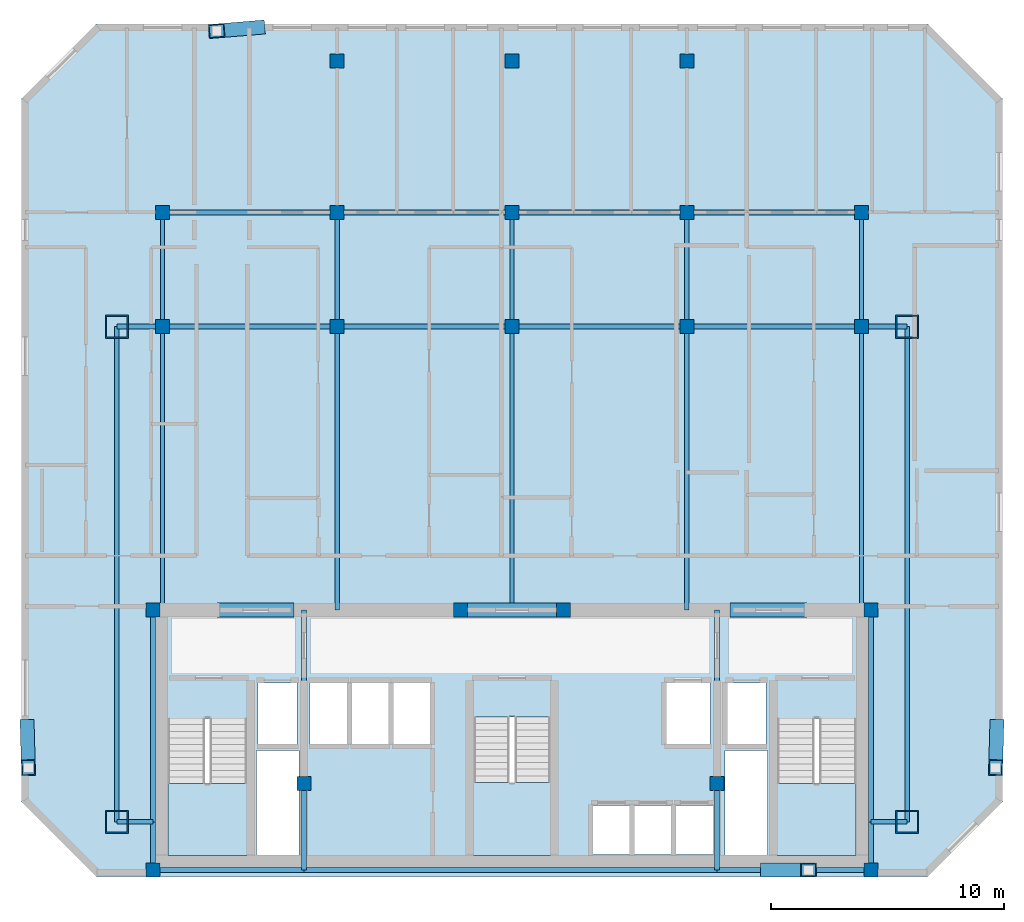
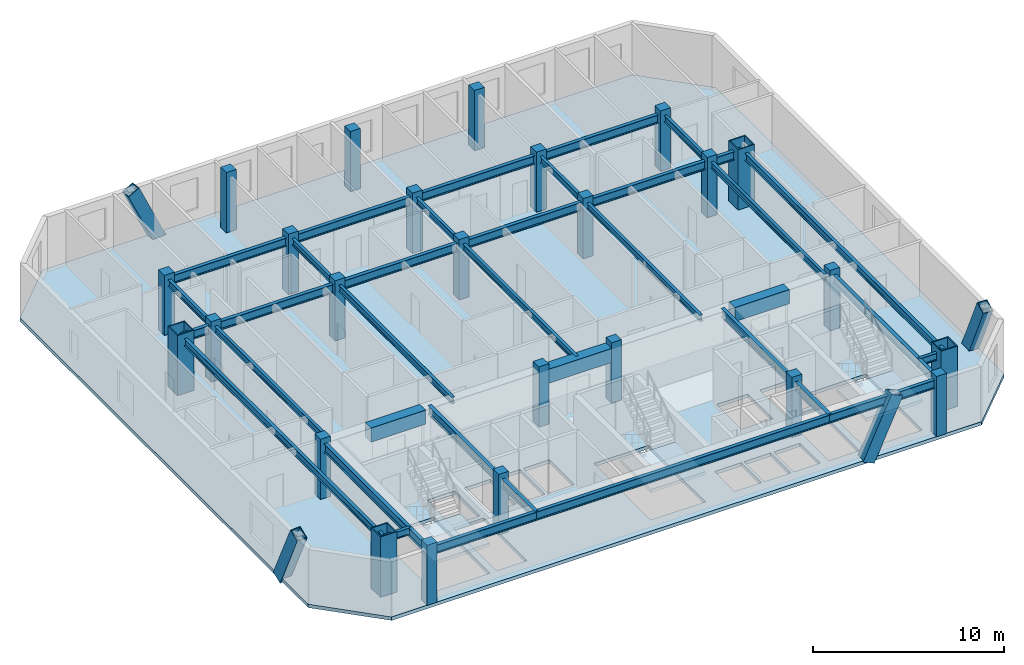
# One storey, part 1 of 7: 38 beams, 25 columns, 4 members, 4 slabs, 3 elements without a shape of their own.
"""IFC4 building model written with IfcOpenShell, lengths in metres."""

from ifc_helpers import new_model, si_unit, direction, frame, origin, origin_2d, place, context, subcontext, project, spatial, polyline, rectangle, hollow_rectangle, i_section, outline, extrude, material, layer, layer_set, material_profile, profile_set, type_object, element, aggregate, save


model = new_model("IFC4")

# Units and contexts
model_context = context("Model", 3, precision=1e-05, world=origin(), true_north=direction((0.0, 1.0)))
body_context = subcontext(model_context, "Body", "Model", "MODEL_VIEW")
ifc_project = project(units=[si_unit("LENGTHUNIT", "METRE"), si_unit("AREAUNIT", "SQUARE_METRE"), si_unit("VOLUMEUNIT", "CUBIC_METRE"), si_unit("PLANEANGLEUNIT", "RADIAN"), si_unit("MASSUNIT", "GRAM", prefix="KILO")], contexts=[model_context])

# Site, building, storey
site_placement = place(None, origin())
site = spatial("IfcSite", under=ifc_project, at=site_placement, CompositionType="ELEMENT")
building_placement = place(site_placement, origin())
building = spatial("IfcBuilding", under=site, at=building_placement, Name="Ventersveld Concourse Tower", CompositionType="ELEMENT")
storey_placement = place(building_placement, frame((0.0, 0.0, 242.64990234375)))
storey = spatial("IfcBuildingStorey", under=building, at=storey_placement, Name="L60", CompositionType="ELEMENT", Elevation=242.64990234375)

# Columns
ifc_material_1 = material(Name="Concrete C50/60", Category="concrete")
ifc_material_profile_1 = material_profile(ifc_material_1, rectangle(XDim=0.60009765625, YDim=0.60009765625, at=origin_2d()), Name="RC 600x600")
ifc_profile_set_1 = profile_set([ifc_material_profile_1], Name="Concrete C50/60")
column_type_1 = type_object("IfcColumnType", Name="COL-RC600", PredefinedType="COLUMN", material=ifc_profile_set_1)
for number, where, z_axis, x_axis, name in (
    (1, (13.35009765625, 0.280029296875, 0.0), (0.0, 0.0, 1.0), (1.0, 0.0, 0.0), "L60 Core Spine Column CC-SW"),
    (2, (44.14990234375, 0.280029296875, 0.0), (0.0, 0.0, 1.0), (1.0, 0.0, 0.0), "L60 Core Spine Column CC-SE"),
    (3, (13.35009765625, 11.449951171875, 0.0), (0.0, 0.0, 1.0), (1.0, 0.0, 0.0), "L60 Core Spine Column CC-NW"),
    (4, (44.14990234375, 11.449951171875, 0.0), (0.0, 0.0, 1.0), (1.0, 0.0, 0.0), "L60 Core Spine Column CC-NE"),
    (5, (19.820068359375, 4.0, 0.0), (0.0, 0.0, 1.0), (1.0, 0.0, 0.0), "L60 Core Spine Column CM-1"),
    (6, (37.550048828125, 4.0, 0.0), (0.0, 0.0, 1.0), (1.0, 0.0, 0.0), "L60 Core Spine Column CM-2"),
    (7, (26.550048828125, 11.449951171875, 0.0), (0.0, 0.0, 1.0), (1.0, 0.0, 0.0), "L60 Core Spine Column CM-3"),
    (8, (30.949951171875, 11.449951171875, 0.0), (0.0, 0.0, 1.0), (1.0, 0.0, 0.0), "L60 Core Spine Column CM-4"),
    (9, (13.75, 23.60009765625, 0.0), (0.0, 0.0, 1.0), (1.0, 0.0, 0.0), "L60 Interior Gravity Column X=13.75 Y=23.60"),
    (10, (21.25, 23.60009765625, 0.0), (0.0, 0.0, 1.0), (1.0, 0.0, 0.0), "L60 Interior Gravity Column X=21.25 Y=23.60"),
    (11, (28.75, 23.60009765625, 0.0), (0.0, 0.0, 1.0), (1.0, 0.0, 0.0), "L60 Interior Gravity Column X=28.75 Y=23.60"),
    (12, (36.25, 23.60009765625, 0.0), (0.0, 0.0, 1.0), (1.0, 0.0, 0.0), "L60 Interior Gravity Column X=36.25 Y=23.60"),
    (13, (43.75, 23.60009765625, 0.0), (0.0, 0.0, 1.0), (1.0, 0.0, 0.0), "L60 Interior Gravity Column X=43.75 Y=23.60"),
    (14, (13.75, 28.5, 0.0), (0.0, 0.0, 1.0), (1.0, 0.0, 0.0), "L60 Upper-North Gravity Column X=13.75 Y=28.50"),
    (15, (21.25, 28.5, 0.0), (0.0, 0.0, 1.0), (1.0, 0.0, 0.0), "L60 Upper-North Gravity Column X=21.25 Y=28.50"),
    (16, (28.75, 28.5, 0.0), (0.0, 0.0, 1.0), (1.0, 0.0, 0.0), "L60 Upper-North Gravity Column X=28.75 Y=28.50"),
    (17, (36.25, 28.5, 0.0), (0.0, 0.0, 1.0), (1.0, 0.0, 0.0), "L60 Upper-North Gravity Column X=36.25 Y=28.50"),
    (18, (43.75, 28.5, 0.0), (0.0, 0.0, 1.0), (1.0, 0.0, 0.0), "L60 Upper-North Gravity Column X=43.75 Y=28.50"),
    (19, (21.25, 35.0, 0.0), (0.0, 0.0, 1.0), (1.0, 0.0, 0.0), "L60 Mid-North Column X=21.25 Y=35.00"),
    (20, (28.75, 35.0, 0.0), (0.0, 0.0, 1.0), (1.0, 0.0, 0.0), "L60 Mid-North Column X=28.75 Y=35.00"),
    (21, (36.25, 35.0, 0.0), (0.0, 0.0, 1.0), (1.0, 0.0, 0.0), "L60 Mid-North Column X=36.25 Y=35.00"),
):
    element("IfcColumn", number, at=place(storey_placement, frame(where, z_axis=z_axis, x_axis=x_axis)), inside=storey, type_object=column_type_1, Name=name, PredefinedType="COLUMN", context=body_context, shape_type="SweptSolid", body=[
        extrude(rectangle(XDim=0.60009765625, YDim=0.60009765625, at=origin_2d()), origin(), (0.0, 0.0, 1.0), 3.85009765625),
    ])
ifc_material_2 = material(Name="Structural steel S460ML", Category="steel")
ifc_material_profile_2 = material_profile(ifc_material_2, hollow_rectangle(XDim=1.0, YDim=1.0, WallThickness=0.06005859375, at=origin_2d()), Name="BOX 1000x1000x60")
ifc_profile_set_2 = profile_set([ifc_material_profile_2], Name="Structural steel S460ML")
column_type_2 = type_object("IfcColumnType", Name="MC-1000", PredefinedType="USERDEFINED", material=ifc_profile_set_2)
for number, where, z_axis, x_axis, name in (
    (22, (11.800048828125, 2.35009765625, 0.0), (0.0, 0.0, 1.0), (1.0, 0.0, 0.0), "L60 Corner Mega-Column MC-SW"),
    (23, (45.699951171875, 2.35009765625, 0.0), (0.0, 0.0, 1.0), (1.0, 0.0, 0.0), "L60 Corner Mega-Column MC-SE"),
    (24, (45.699951171875, 23.60009765625, 0.0), (0.0, 0.0, 1.0), (1.0, 0.0, 0.0), "L60 Corner Mega-Column MC-NE"),
    (25, (11.800048828125, 23.60009765625, 0.0), (0.0, 0.0, 1.0), (1.0, 0.0, 0.0), "L60 Corner Mega-Column MC-NW"),
):
    element("IfcColumn", number, at=place(storey_placement, frame(where, z_axis=z_axis, x_axis=x_axis)), inside=storey, type_object=column_type_2, Name=name, ObjectType="MEGA_COLUMN", PredefinedType="USERDEFINED", context=body_context, shape_type="SweptSolid", body=[
        extrude(hollow_rectangle(XDim=1.0, YDim=1.0, WallThickness=0.06005859375, at=origin_2d()), origin(), (0.0, 0.0, 1.0), 3.85009765625),
    ])

# Beams
ifc_material_3 = material(Name="Structural steel S355J2", Category="steel")
ifc_material_profile_3 = material_profile(ifc_material_3, i_section(OverallWidth=0.177978515625, OverallDepth=0.406494140625, WebThickness=0.0078125, FlangeThickness=0.0126953125, FilletRadius=0.01025390625, at=origin_2d()), Name="UB 406x178x60")
ifc_profile_set_3 = profile_set([ifc_material_profile_3], Name="Structural steel S355J2")
beam_type_1 = type_object("IfcBeamType", Name="BM-UB406", PredefinedType="BEAM", material=ifc_profile_set_3)
beam_1_placement = place(storey_placement, frame((13.75, 11.449951171875, 3.296875), z_axis=(0.0, 1.0, 0.0), x_axis=(-1.0, 0.0, 0.0)))
element("IfcBeam", 26, at=beam_1_placement, inside=storey, type_object=beam_type_1, Name="L60 N-S Composite Floor Beam South X=13.75", PredefinedType="BEAM", context=body_context, shape_type="SweptSolid", body=[
    extrude(i_section(OverallWidth=0.177978515625, OverallDepth=0.406494140625, WebThickness=0.0078125, FlangeThickness=0.0126953125, FilletRadius=0.01025390625, at=origin_2d()), origin(), (0.0, 0.0, 1.0), 12.150146484375),
])
beam_2_placement = place(storey_placement, frame((13.75, 23.60009765625, 3.296875), z_axis=(0.0, 1.0, 0.0), x_axis=(-1.0, 0.0, 0.0)))
element("IfcBeam", 27, at=beam_2_placement, inside=storey, type_object=beam_type_1, Name="L60 N-S Upper-Zone Floor Beam X=13.75", PredefinedType="BEAM", context=body_context, shape_type="SweptSolid", body=[
    extrude(i_section(OverallWidth=0.177978515625, OverallDepth=0.406494140625, WebThickness=0.0078125, FlangeThickness=0.0126953125, FilletRadius=0.01025390625, at=origin_2d()), origin(), (0.0, 0.0, 1.0), 4.89990234375),
])
beam_3_placement = place(storey_placement, frame((21.25, 11.449951171875, 3.296875), z_axis=(0.0, 1.0, 0.0), x_axis=(-1.0, 0.0, 0.0)))
element("IfcBeam", 28, at=beam_3_placement, inside=storey, type_object=beam_type_1, Name="L60 N-S Composite Floor Beam South X=21.25", PredefinedType="BEAM", context=body_context, shape_type="SweptSolid", body=[
    extrude(i_section(OverallWidth=0.177978515625, OverallDepth=0.406494140625, WebThickness=0.0078125, FlangeThickness=0.0126953125, FilletRadius=0.01025390625, at=origin_2d()), origin(), (0.0, 0.0, 1.0), 12.150146484375),
])
beam_4_placement = place(storey_placement, frame((21.25, 23.60009765625, 3.296875), z_axis=(0.0, 1.0, 0.0), x_axis=(-1.0, 0.0, 0.0)))
element("IfcBeam", 29, at=beam_4_placement, inside=storey, type_object=beam_type_1, Name="L60 N-S Upper-Zone Floor Beam X=21.25", PredefinedType="BEAM", context=body_context, shape_type="SweptSolid", body=[
    extrude(i_section(OverallWidth=0.177978515625, OverallDepth=0.406494140625, WebThickness=0.0078125, FlangeThickness=0.0126953125, FilletRadius=0.01025390625, at=origin_2d()), origin(), (0.0, 0.0, 1.0), 4.89990234375),
])
beam_5_placement = place(storey_placement, frame((28.75, 11.449951171875, 3.296875), z_axis=(0.0, 1.0, 0.0), x_axis=(-1.0, 0.0, 0.0)))
element("IfcBeam", 30, at=beam_5_placement, inside=storey, type_object=beam_type_1, Name="L60 N-S Composite Floor Beam South X=28.75", PredefinedType="BEAM", context=body_context, shape_type="SweptSolid", body=[
    extrude(i_section(OverallWidth=0.177978515625, OverallDepth=0.406494140625, WebThickness=0.0078125, FlangeThickness=0.0126953125, FilletRadius=0.01025390625, at=origin_2d()), origin(), (0.0, 0.0, 1.0), 12.150146484375),
])
beam_6_placement = place(storey_placement, frame((28.75, 23.60009765625, 3.296875), z_axis=(0.0, 1.0, 0.0), x_axis=(-1.0, 0.0, 0.0)))
element("IfcBeam", 31, at=beam_6_placement, inside=storey, type_object=beam_type_1, Name="L60 N-S Upper-Zone Floor Beam X=28.75", PredefinedType="BEAM", context=body_context, shape_type="SweptSolid", body=[
    extrude(i_section(OverallWidth=0.177978515625, OverallDepth=0.406494140625, WebThickness=0.0078125, FlangeThickness=0.0126953125, FilletRadius=0.01025390625, at=origin_2d()), origin(), (0.0, 0.0, 1.0), 4.89990234375),
])
beam_7_placement = place(storey_placement, frame((36.25, 11.449951171875, 3.296875), z_axis=(0.0, 1.0, 0.0), x_axis=(-1.0, 0.0, 0.0)))
element("IfcBeam", 32, at=beam_7_placement, inside=storey, type_object=beam_type_1, Name="L60 N-S Composite Floor Beam South X=36.25", PredefinedType="BEAM", context=body_context, shape_type="SweptSolid", body=[
    extrude(i_section(OverallWidth=0.177978515625, OverallDepth=0.406494140625, WebThickness=0.0078125, FlangeThickness=0.0126953125, FilletRadius=0.01025390625, at=origin_2d()), origin(), (0.0, 0.0, 1.0), 12.150146484375),
])
beam_8_placement = place(storey_placement, frame((36.25, 23.60009765625, 3.296875), z_axis=(0.0, 1.0, 0.0), x_axis=(-1.0, 0.0, 0.0)))
element("IfcBeam", 33, at=beam_8_placement, inside=storey, type_object=beam_type_1, Name="L60 N-S Upper-Zone Floor Beam X=36.25", PredefinedType="BEAM", context=body_context, shape_type="SweptSolid", body=[
    extrude(i_section(OverallWidth=0.177978515625, OverallDepth=0.406494140625, WebThickness=0.0078125, FlangeThickness=0.0126953125, FilletRadius=0.01025390625, at=origin_2d()), origin(), (0.0, 0.0, 1.0), 4.89990234375),
])
beam_9_placement = place(storey_placement, frame((43.75, 11.449951171875, 3.296875), z_axis=(0.0, 1.0, 0.0), x_axis=(-1.0, 0.0, 0.0)))
element("IfcBeam", 34, at=beam_9_placement, inside=storey, type_object=beam_type_1, Name="L60 N-S Composite Floor Beam South X=43.75", PredefinedType="BEAM", context=body_context, shape_type="SweptSolid", body=[
    extrude(i_section(OverallWidth=0.177978515625, OverallDepth=0.406494140625, WebThickness=0.0078125, FlangeThickness=0.0126953125, FilletRadius=0.01025390625, at=origin_2d()), origin(), (0.0, 0.0, 1.0), 12.150146484375),
])
beam_10_placement = place(storey_placement, frame((43.75, 23.60009765625, 3.296875), z_axis=(0.0, 1.0, 0.0), x_axis=(-1.0, 0.0, 0.0)))
element("IfcBeam", 35, at=beam_10_placement, inside=storey, type_object=beam_type_1, Name="L60 N-S Upper-Zone Floor Beam X=43.75", PredefinedType="BEAM", context=body_context, shape_type="SweptSolid", body=[
    extrude(i_section(OverallWidth=0.177978515625, OverallDepth=0.406494140625, WebThickness=0.0078125, FlangeThickness=0.0126953125, FilletRadius=0.01025390625, at=origin_2d()), origin(), (0.0, 0.0, 1.0), 4.89990234375),
])
ifc_material_profile_4 = material_profile(ifc_material_1, rectangle(XDim=0.60009765625, YDim=0.89990234375, at=origin_2d()), Name="RC 600x900")
ifc_profile_set_4 = profile_set([ifc_material_profile_4], Name="Concrete C50/60")
beam_type_2 = type_object("IfcBeamType", Name="CB-RC600x900U", PredefinedType="LINTEL", material=ifc_profile_set_4)
beam_11_placement = place(storey_placement, frame((16.10009765625, 11.449951171875, 3.050048828125), z_axis=(1.0, 0.0, 0.0), x_axis=(0.0, 1.0, 0.0)))
element("IfcBeam", 36, at=beam_11_placement, inside=storey, type_object=beam_type_2, Name="L60 Core Coupling Lintel Beam 1", PredefinedType="LINTEL", context=body_context, shape_type="SweptSolid", body=[
    extrude(rectangle(XDim=0.60009765625, YDim=0.89990234375, at=origin_2d()), origin(), (0.0, 0.0, 1.0), 3.2998046875),
])
beam_12_placement = place(storey_placement, frame((26.5, 11.449951171875, 3.050048828125), z_axis=(1.0, 0.0, 0.0), x_axis=(0.0, 1.0, 0.0)))
element("IfcBeam", 37, at=beam_12_placement, inside=storey, type_object=beam_type_2, Name="L60 Core Coupling Lintel Beam 2", PredefinedType="LINTEL", context=body_context, shape_type="SweptSolid", body=[
    extrude(rectangle(XDim=0.60009765625, YDim=0.89990234375, at=origin_2d()), origin(), (0.0, 0.0, 1.0), 4.5),
])
beam_13_placement = place(storey_placement, frame((38.10009765625, 11.449951171875, 3.050048828125), z_axis=(1.0, 0.0, 0.0), x_axis=(0.0, 1.0, 0.0)))
element("IfcBeam", 38, at=beam_13_placement, inside=storey, type_object=beam_type_2, Name="L60 Core Coupling Lintel Beam 3", PredefinedType="LINTEL", context=body_context, shape_type="SweptSolid", body=[
    extrude(rectangle(XDim=0.60009765625, YDim=0.89990234375, at=origin_2d()), origin(), (0.0, 0.0, 1.0), 3.2998046875),
])
ifc_material_profile_5 = material_profile(ifc_material_3, i_section(OverallWidth=0.2119140625, OverallDepth=0.54443359375, WebThickness=0.0126953125, FlangeThickness=0.021240234375, FilletRadius=0.0126953125, at=origin_2d()), Name="UB 533x210x122")
ifc_profile_set_5 = profile_set([ifc_material_profile_5], Name="Structural steel S355J2")
beam_type_3 = type_object("IfcBeamType", Name="GRD-UB533H", PredefinedType="T_BEAM", material=ifc_profile_set_5)
beam_14_placement = place(storey_placement, frame((13.35009765625, 0.280029296875, 3.227783203125), z_axis=(0.0, 1.0, 0.0), x_axis=(-1.0, 0.0, 0.0)))
element("IfcBeam", 39, at=beam_14_placement, inside=storey, type_object=beam_type_3, Name="L60 Core West Tie Beam S", PredefinedType="T_BEAM", context=body_context, shape_type="SweptSolid", body=[
    extrude(i_section(OverallWidth=0.2119140625, OverallDepth=0.54443359375, WebThickness=0.0126953125, FlangeThickness=0.021240234375, FilletRadius=0.0126953125, at=origin_2d()), origin(), (0.0, 0.0, 1.0), 2.070068359375),
])
beam_15_placement = place(storey_placement, frame((13.35009765625, 2.35009765625, 3.227783203125), z_axis=(0.0, 1.0, 0.0), x_axis=(-1.0, 0.0, 0.0)))
element("IfcBeam", 40, at=beam_15_placement, inside=storey, type_object=beam_type_3, Name="L60 Core West Tie Beam N", PredefinedType="T_BEAM", context=body_context, shape_type="SweptSolid", body=[
    extrude(i_section(OverallWidth=0.2119140625, OverallDepth=0.54443359375, WebThickness=0.0126953125, FlangeThickness=0.021240234375, FilletRadius=0.0126953125, at=origin_2d()), origin(), (0.0, 0.0, 1.0), 9.099853515625),
])
beam_16_placement = place(storey_placement, frame((44.14990234375, 0.280029296875, 3.227783203125), z_axis=(0.0, 1.0, 0.0), x_axis=(-1.0, 0.0, 0.0)))
element("IfcBeam", 41, at=beam_16_placement, inside=storey, type_object=beam_type_3, Name="L60 Core East Tie Beam S", PredefinedType="T_BEAM", context=body_context, shape_type="SweptSolid", body=[
    extrude(i_section(OverallWidth=0.2119140625, OverallDepth=0.54443359375, WebThickness=0.0126953125, FlangeThickness=0.021240234375, FilletRadius=0.0126953125, at=origin_2d()), origin(), (0.0, 0.0, 1.0), 2.070068359375),
])
beam_17_placement = place(storey_placement, frame((44.14990234375, 2.35009765625, 3.227783203125), z_axis=(0.0, 1.0, 0.0), x_axis=(-1.0, 0.0, 0.0)))
element("IfcBeam", 42, at=beam_17_placement, inside=storey, type_object=beam_type_3, Name="L60 Core East Tie Beam N", PredefinedType="T_BEAM", context=body_context, shape_type="SweptSolid", body=[
    extrude(i_section(OverallWidth=0.2119140625, OverallDepth=0.54443359375, WebThickness=0.0126953125, FlangeThickness=0.021240234375, FilletRadius=0.0126953125, at=origin_2d()), origin(), (0.0, 0.0, 1.0), 9.099853515625),
])
beam_18_placement = place(storey_placement, frame((13.35009765625, 0.280029296875, 3.227783203125), z_axis=(1.0, 0.0, 0.0), x_axis=(0.0, 1.0, 0.0)))
element("IfcBeam", 43, at=beam_18_placement, inside=storey, type_object=beam_type_3, Name="L60 Core South Tie Beam W", PredefinedType="T_BEAM", context=body_context, shape_type="SweptSolid", body=[
    extrude(i_section(OverallWidth=0.2119140625, OverallDepth=0.54443359375, WebThickness=0.0126953125, FlangeThickness=0.021240234375, FilletRadius=0.0126953125, at=origin_2d()), origin(), (0.0, 0.0, 1.0), 6.469970703125),
])
beam_19_placement = place(storey_placement, frame((19.820068359375, 0.280029296875, 3.227783203125), z_axis=(1.0, 0.0, 0.0), x_axis=(0.0, 1.0, 0.0)))
element("IfcBeam", 44, at=beam_19_placement, inside=storey, type_object=beam_type_3, Name="L60 Core South Tie Beam C", PredefinedType="T_BEAM", context=body_context, shape_type="SweptSolid", body=[
    extrude(i_section(OverallWidth=0.2119140625, OverallDepth=0.54443359375, WebThickness=0.0126953125, FlangeThickness=0.021240234375, FilletRadius=0.0126953125, at=origin_2d()), origin(), (0.0, 0.0, 1.0), 17.72998046875),
])
beam_20_placement = place(storey_placement, frame((37.550048828125, 0.280029296875, 3.227783203125), z_axis=(1.0, 0.0, 0.0), x_axis=(0.0, 1.0, 0.0)))
element("IfcBeam", 45, at=beam_20_placement, inside=storey, type_object=beam_type_3, Name="L60 Core South Tie Beam E", PredefinedType="T_BEAM", context=body_context, shape_type="SweptSolid", body=[
    extrude(i_section(OverallWidth=0.2119140625, OverallDepth=0.54443359375, WebThickness=0.0126953125, FlangeThickness=0.021240234375, FilletRadius=0.0126953125, at=origin_2d()), origin(), (0.0, 0.0, 1.0), 6.599853515625),
])
beam_21_placement = place(storey_placement, frame((19.820068359375, 0.280029296875, 3.227783203125), z_axis=(0.0, 1.0, 0.0), x_axis=(-1.0, 0.0, 0.0)))
element("IfcBeam", 46, at=beam_21_placement, inside=storey, type_object=beam_type_3, Name="L60 Core Spine N-S Tie Beam W1", PredefinedType="T_BEAM", context=body_context, shape_type="SweptSolid", body=[
    extrude(i_section(OverallWidth=0.2119140625, OverallDepth=0.54443359375, WebThickness=0.0126953125, FlangeThickness=0.021240234375, FilletRadius=0.0126953125, at=origin_2d()), origin(), (0.0, 0.0, 1.0), 3.719970703125),
])
beam_22_placement = place(storey_placement, frame((19.820068359375, 4.0, 3.227783203125), z_axis=(0.0, 1.0, 0.0), x_axis=(-1.0, 0.0, 0.0)))
element("IfcBeam", 47, at=beam_22_placement, inside=storey, type_object=beam_type_3, Name="L60 Core Spine N-S Tie Beam W2", PredefinedType="T_BEAM", context=body_context, shape_type="SweptSolid", body=[
    extrude(i_section(OverallWidth=0.2119140625, OverallDepth=0.54443359375, WebThickness=0.0126953125, FlangeThickness=0.021240234375, FilletRadius=0.0126953125, at=origin_2d()), origin(), (0.0, 0.0, 1.0), 7.449951171875),
])
beam_23_placement = place(storey_placement, frame((37.550048828125, 0.280029296875, 3.227783203125), z_axis=(0.0, 1.0, 0.0), x_axis=(-1.0, 0.0, 0.0)))
element("IfcBeam", 48, at=beam_23_placement, inside=storey, type_object=beam_type_3, Name="L60 Core Spine N-S Tie Beam E1", PredefinedType="T_BEAM", context=body_context, shape_type="SweptSolid", body=[
    extrude(i_section(OverallWidth=0.2119140625, OverallDepth=0.54443359375, WebThickness=0.0126953125, FlangeThickness=0.021240234375, FilletRadius=0.0126953125, at=origin_2d()), origin(), (0.0, 0.0, 1.0), 3.719970703125),
])
beam_24_placement = place(storey_placement, frame((37.550048828125, 4.0, 3.227783203125), z_axis=(0.0, 1.0, 0.0), x_axis=(-1.0, 0.0, 0.0)))
element("IfcBeam", 49, at=beam_24_placement, inside=storey, type_object=beam_type_3, Name="L60 Core Spine N-S Tie Beam E2", PredefinedType="T_BEAM", context=body_context, shape_type="SweptSolid", body=[
    extrude(i_section(OverallWidth=0.2119140625, OverallDepth=0.54443359375, WebThickness=0.0126953125, FlangeThickness=0.021240234375, FilletRadius=0.0126953125, at=origin_2d()), origin(), (0.0, 0.0, 1.0), 7.449951171875),
])
beam_25_placement = place(storey_placement, frame((11.800048828125, 23.60009765625, 3.227783203125), z_axis=(1.0, 0.0, 0.0), x_axis=(0.0, 1.0, 0.0)))
element("IfcBeam", 50, at=beam_25_placement, inside=storey, type_object=beam_type_3, Name="L60 Primary E-W Grid Girder Y=23.60 #1", PredefinedType="T_BEAM", context=body_context, shape_type="SweptSolid", body=[
    extrude(i_section(OverallWidth=0.2119140625, OverallDepth=0.54443359375, WebThickness=0.0126953125, FlangeThickness=0.021240234375, FilletRadius=0.0126953125, at=origin_2d()), origin(), (0.0, 0.0, 1.0), 1.949951171875),
])
for number, where, z_axis, x_axis, name in (
    (51, (13.75, 23.60009765625, 3.227783203125), (1.0, 0.0, 0.0), (0.0, 1.0, 0.0), "L60 Primary E-W Grid Girder Y=23.60 #2"),
    (52, (21.25, 23.60009765625, 3.227783203125), (1.0, 0.0, 0.0), (0.0, 1.0, 0.0), "L60 Primary E-W Grid Girder Y=23.60 #3"),
    (53, (28.75, 23.60009765625, 3.227783203125), (1.0, 0.0, 0.0), (0.0, 1.0, 0.0), "L60 Primary E-W Grid Girder Y=23.60 #4"),
    (54, (36.25, 23.60009765625, 3.227783203125), (1.0, 0.0, 0.0), (0.0, 1.0, 0.0), "L60 Primary E-W Grid Girder Y=23.60 #5"),
):
    element("IfcBeam", number, at=place(storey_placement, frame(where, z_axis=z_axis, x_axis=x_axis)), inside=storey, type_object=beam_type_3, Name=name, PredefinedType="T_BEAM", context=body_context, shape_type="SweptSolid", body=[
        extrude(i_section(OverallWidth=0.2119140625, OverallDepth=0.54443359375, WebThickness=0.0126953125, FlangeThickness=0.021240234375, FilletRadius=0.0126953125, at=origin_2d()), origin(), (0.0, 0.0, 1.0), 7.5),
    ])
beam_26_placement = place(storey_placement, frame((43.75, 23.60009765625, 3.227783203125), z_axis=(1.0, 0.0, 0.0), x_axis=(0.0, 1.0, 0.0)))
element("IfcBeam", 55, at=beam_26_placement, inside=storey, type_object=beam_type_3, Name="L60 Primary E-W Grid Girder Y=23.60 #6", PredefinedType="T_BEAM", context=body_context, shape_type="SweptSolid", body=[
    extrude(i_section(OverallWidth=0.2119140625, OverallDepth=0.54443359375, WebThickness=0.0126953125, FlangeThickness=0.021240234375, FilletRadius=0.0126953125, at=origin_2d()), origin(), (0.0, 0.0, 1.0), 1.949951171875),
])
for number, where, z_axis, x_axis, name in (
    (56, (13.75, 28.5, 3.227783203125), (1.0, 0.0, 0.0), (0.0, 1.0, 0.0), "L60 Upper-North E-W Girder Y=28.50 #1"),
    (57, (21.25, 28.5, 3.227783203125), (1.0, 0.0, 0.0), (0.0, 1.0, 0.0), "L60 Upper-North E-W Girder Y=28.50 #2"),
    (58, (28.75, 28.5, 3.227783203125), (1.0, 0.0, 0.0), (0.0, 1.0, 0.0), "L60 Upper-North E-W Girder Y=28.50 #3"),
    (59, (36.25, 28.5, 3.227783203125), (1.0, 0.0, 0.0), (0.0, 1.0, 0.0), "L60 Upper-North E-W Girder Y=28.50 #4"),
):
    element("IfcBeam", number, at=place(storey_placement, frame(where, z_axis=z_axis, x_axis=x_axis)), inside=storey, type_object=beam_type_3, Name=name, PredefinedType="T_BEAM", context=body_context, shape_type="SweptSolid", body=[
        extrude(i_section(OverallWidth=0.2119140625, OverallDepth=0.54443359375, WebThickness=0.0126953125, FlangeThickness=0.021240234375, FilletRadius=0.0126953125, at=origin_2d()), origin(), (0.0, 0.0, 1.0), 7.5),
    ])

# Members
ifc_material_4 = material(Name="Structural steel S355ML", Category="steel")
ifc_material_profile_6 = material_profile(ifc_material_4, hollow_rectangle(XDim=0.60009765625, YDim=0.75, WallThickness=0.0400390625, at=origin_2d()), Name="BOX 750x600x40")
ifc_profile_set_6 = profile_set([ifc_material_profile_6], Name="Structural steel S355ML")
member_type = type_object("IfcMemberType", Name="MB-750x600", PredefinedType="BRACE", material=ifc_profile_set_6)
member_placement = place(storey_placement, frame((17.80224609375, 36.430908203125, -0.219970703125), z_axis=(-0.42020721886, -0.034575894938, 0.906769210277), x_axis=(0.082005821426, -0.99663185041, 0.0)))
element("IfcMember", 60, at=member_placement, inside=storey, type_object=member_type, Name="L60 Exterior Mega-Brace N (Module M14)", PredefinedType="BRACE", context=body_context, shape_type="SweptSolid", body=[
    extrude(hollow_rectangle(XDim=0.60009765625, YDim=0.75, WallThickness=0.0400390625, at=origin_2d()), origin(), (0.0, 0.0, 1.0), 4.1025390625),
])
for number, where, z_axis, x_axis, name in (
    (61, (39.747802734375, 0.280029296875, -0.219970703125), (0.420458621587, 0.0, 0.907311714646), (0.0, 1.0, 0.0), "L60 Exterior Mega-Brace S (Module M14)"),
    (62, (7.94921875, 6.402099609375, -0.219970703125), (0.011968311236, -0.420379489196, 0.907269444316), (0.9995949685, 0.028458723607, 0.0), "L60 Exterior Mega-Brace W (Module M14)"),
    (63, (49.55078125, 6.402099609375, -0.219970703125), (-0.011968311236, -0.420379489196, 0.907269444316), (0.9995949685, -0.028458723607, 0.0), "L60 Exterior Mega-Brace E (Module M14)"),
):
    element("IfcMember", number, at=place(storey_placement, frame(where, z_axis=z_axis, x_axis=x_axis)), inside=storey, type_object=member_type, Name=name, PredefinedType="BRACE", context=body_context, shape_type="SweptSolid", body=[
        extrude(hollow_rectangle(XDim=0.60009765625, YDim=0.75, WallThickness=0.0400390625, at=origin_2d()), origin(), (0.0, 0.0, 1.0), 4.10009765625),
    ])

# Beams
ifc_material_profile_7 = material_profile(ifc_material_3, i_section(OverallWidth=0.19140625, OverallDepth=0.4599609375, WebThickness=0.010009765625, FlangeThickness=0.01611328125, FilletRadius=0.01025390625, at=origin_2d()), Name="UB 457x191x82")
ifc_profile_set_7 = profile_set([ifc_material_profile_7], Name="Structural steel S355J2")
beam_type_4 = type_object("IfcBeamType", Name="SPD-UB457", PredefinedType="SPANDREL", material=ifc_profile_set_7)
for number, where, z_axis, x_axis, name in (
    (64, (11.800048828125, 2.35009765625, 3.27001953125), (1.0, 0.0, 0.0), (0.0, 1.0, 0.0), "L60 SW Spandrel Beam"),
    (65, (44.14990234375, 2.35009765625, 3.27001953125), (1.0, 0.0, 0.0), (0.0, 1.0, 0.0), "L60 SE Spandrel Beam"),
):
    element("IfcBeam", number, at=place(storey_placement, frame(where, z_axis=z_axis, x_axis=x_axis)), inside=storey, type_object=beam_type_4, Name=name, PredefinedType="SPANDREL", context=body_context, shape_type="SweptSolid", body=[
        extrude(i_section(OverallWidth=0.19140625, OverallDepth=0.4599609375, WebThickness=0.010009765625, FlangeThickness=0.01611328125, FilletRadius=0.01025390625, at=origin_2d()), origin(), (0.0, 0.0, 1.0), 1.550048828125),
    ])
for number, where, z_axis, x_axis, name in (
    (66, (11.800048828125, 2.35009765625, 3.27001953125), (0.0, 1.0, 0.0), (-1.0, 0.0, 0.0), "L60 West Spandrel Beam"),
    (67, (45.699951171875, 2.35009765625, 3.27001953125), (0.0, 1.0, 0.0), (-1.0, 0.0, 0.0), "L60 East Spandrel Beam"),
):
    element("IfcBeam", number, at=place(storey_placement, frame(where, z_axis=z_axis, x_axis=x_axis)), inside=storey, type_object=beam_type_4, Name=name, PredefinedType="SPANDREL", context=body_context, shape_type="SweptSolid", body=[
        extrude(i_section(OverallWidth=0.19140625, OverallDepth=0.4599609375, WebThickness=0.010009765625, FlangeThickness=0.01611328125, FilletRadius=0.01025390625, at=origin_2d()), origin(), (0.0, 0.0, 1.0), 21.25),
    ])

# Slab
ifc_layer_1 = layer(ifc_material_1, 0.219970703125)
ifc_layer_set_1 = layer_set([ifc_layer_1], Name="Concrete C50/60")
slab_type_1 = type_object("IfcSlabType", Name="SL-FLR-220", PredefinedType="FLOOR", material=ifc_layer_set_1)
slab_1_placement = place(storey_placement, frame((0.0, 0.0, -0.219970703125)))
element("IfcSlab", 68, at=slab_1_placement, inside=storey, type_object=slab_type_1, Name="L60 Composite Floor Slab", PredefinedType="FLOOR", context=body_context, shape_type="SweptSolid", body=[
    extrude(outline(polyline([(10.913330078125, 0.0), (46.586669921875, 0.0), (49.78662109375, 3.199951171875), (49.78662109375, 33.383056640625), (46.586669921875, 36.5830078125), (10.913330078125, 36.5830078125), (7.71337890625, 33.383056640625), (7.71337890625, 3.199951171875), (10.913330078125, 0.0)]), holes=[polyline([(13.97998046875, 6.794921875), (13.97998046875, 0.89990234375), (17.3798828125, 0.89990234375), (17.3798828125, 6.794921875), (13.97998046875, 6.794921875)]), polyline([(40.1201171875, 6.794921875), (40.1201171875, 0.89990234375), (43.52001953125, 0.89990234375), (43.52001953125, 6.794921875), (40.1201171875, 6.794921875)]), polyline([(27.10009765625, 6.844970703125), (27.10009765625, 0.89990234375), (30.39990234375, 0.89990234375), (30.39990234375, 6.844970703125), (27.10009765625, 6.844970703125)]), polyline([(17.85009765625, 5.699951171875), (19.530029296875, 5.699951171875), (19.530029296875, 8.300048828125), (17.85009765625, 8.300048828125), (17.85009765625, 5.699951171875)]), polyline([(37.969970703125, 5.699951171875), (39.64990234375, 5.699951171875), (39.64990234375, 8.300048828125), (37.969970703125, 8.300048828125), (37.969970703125, 5.699951171875)]), polyline([(35.35009765625, 5.699951171875), (37.25, 5.699951171875), (37.25, 8.300048828125), (35.35009765625, 8.300048828125), (35.35009765625, 5.699951171875)]), polyline([(32.2099609375, 0.949951171875), (33.81005859375, 0.949951171875), (33.81005859375, 3.050048828125), (32.2099609375, 3.050048828125), (32.2099609375, 0.949951171875)]), polyline([(33.989990234375, 0.949951171875), (35.590087890625, 0.949951171875), (35.590087890625, 3.050048828125), (33.989990234375, 3.050048828125), (33.989990234375, 0.949951171875)]), polyline([(35.77001953125, 0.949951171875), (37.3701171875, 0.949951171875), (37.3701171875, 3.050048828125), (35.77001953125, 3.050048828125), (35.77001953125, 0.949951171875)]), polyline([(20.090087890625, 5.699951171875), (21.68994140625, 5.699951171875), (21.68994140625, 8.300048828125), (20.090087890625, 8.300048828125), (20.090087890625, 5.699951171875)]), polyline([(21.8701171875, 5.699951171875), (23.469970703125, 5.699951171875), (23.469970703125, 8.300048828125), (21.8701171875, 8.300048828125), (21.8701171875, 5.699951171875)]), polyline([(23.64990234375, 5.699951171875), (25.25, 5.699951171875), (25.25, 8.300048828125), (23.64990234375, 8.300048828125), (23.64990234375, 5.699951171875)]), polyline([(17.780029296875, 0.919921875), (19.6201171875, 0.919921875), (19.6201171875, 5.419921875), (17.780029296875, 5.419921875), (17.780029296875, 0.919921875)]), polyline([(37.8798828125, 0.919921875), (39.719970703125, 0.919921875), (39.719970703125, 5.419921875), (37.8798828125, 5.419921875), (37.8798828125, 0.919921875)])]), origin(), (0.0, 0.0, 1.0), 0.219970703125),
])

# Stair, slab
stair_type_1 = type_object("IfcStairType", Name="ST-DOG-160", PredefinedType="HALF_TURN_STAIR", material=ifc_material_1)
stair_1_placement = place(storey_placement, origin())
stair_1 = element("IfcStair", 69, at=stair_1_placement, inside=storey, type_object=stair_type_1, Name="L60 Protected Tower Escape Stair ST-01", PredefinedType="HALF_TURN_STAIR")
ifc_layer_2 = layer(ifc_material_1, 0.199951171875)
ifc_layer_set_2 = layer_set([ifc_layer_2], Name="Concrete C50/60")
slab_type_2 = type_object("IfcSlabType", Name="SL-LND-200", PredefinedType="LANDING", material=ifc_layer_set_2)
slab_2_placement = place(storey_placement, frame((0.0, 0.0, 1.72509765625)))
slab_2 = element("IfcSlab", 70, at=slab_2_placement, type_object=slab_type_2, Name="ST-01 landing 1", PredefinedType="LANDING", context=body_context, shape_type="SweptSolid", body=[
    extrude(outline(polyline([(13.97998046875, 4.0), (13.97998046875, 0.89990234375), (17.3798828125, 0.89990234375), (17.3798828125, 4.0), (13.97998046875, 4.0)])), origin(), (0.0, 0.0, 1.0), 0.199951171875),
])
aggregate(stair_1, [slab_2])

stair_2_placement = place(storey_placement, origin())
stair_2 = element("IfcStair", 71, at=stair_2_placement, inside=storey, type_object=stair_type_1, Name="L60 Protected Tower Escape Stair ST-02", PredefinedType="HALF_TURN_STAIR")
slab_3_placement = place(storey_placement, frame((0.0, 0.0, 1.72509765625)))
slab_3 = element("IfcSlab", 72, at=slab_3_placement, type_object=slab_type_2, Name="ST-02 landing 1", PredefinedType="LANDING", context=body_context, shape_type="SweptSolid", body=[
    extrude(outline(polyline([(40.1201171875, 4.0), (40.1201171875, 0.89990234375), (43.52001953125, 0.89990234375), (43.52001953125, 4.0), (40.1201171875, 4.0)])), origin(), (0.0, 0.0, 1.0), 0.199951171875),
])
aggregate(stair_2, [slab_3])

stair_type_2 = type_object("IfcStairType", Name="ST-DOG-155", PredefinedType="HALF_TURN_STAIR", material=ifc_material_1)
stair_3_placement = place(storey_placement, origin())
stair_3 = element("IfcStair", 73, at=stair_3_placement, inside=storey, type_object=stair_type_2, Name="L60 Protected Central Core Escape Stair ST-03", PredefinedType="HALF_TURN_STAIR")
slab_4_placement = place(storey_placement, frame((0.0, 0.0, 1.72509765625)))
slab_4 = element("IfcSlab", 74, at=slab_4_placement, type_object=slab_type_2, Name="ST-03 landing 1", PredefinedType="LANDING", context=body_context, shape_type="SweptSolid", body=[
    extrude(outline(polyline([(27.10009765625, 4.050048828125), (27.10009765625, 0.89990234375), (30.39990234375, 0.89990234375), (30.39990234375, 4.050048828125), (27.10009765625, 4.050048828125)])), origin(), (0.0, 0.0, 1.0), 0.199951171875),
])
aggregate(stair_3, [slab_4])

save(model, "model.ifc")
